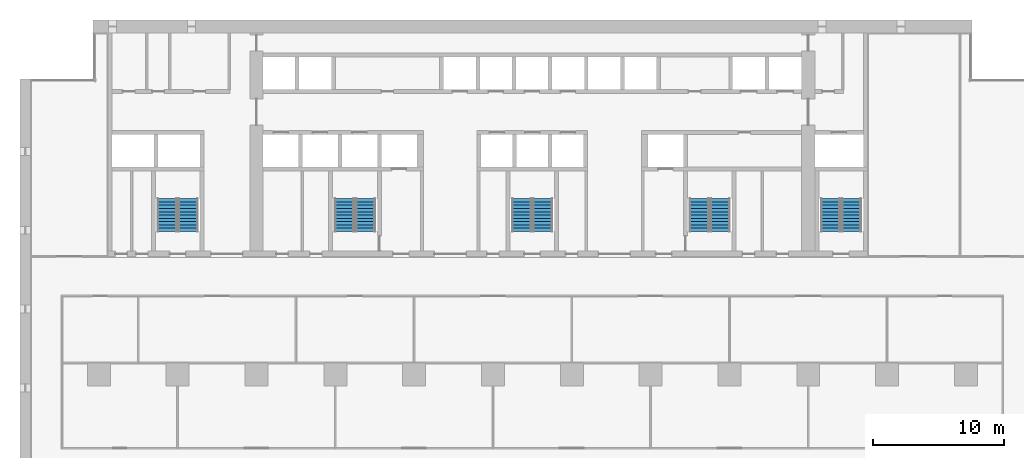
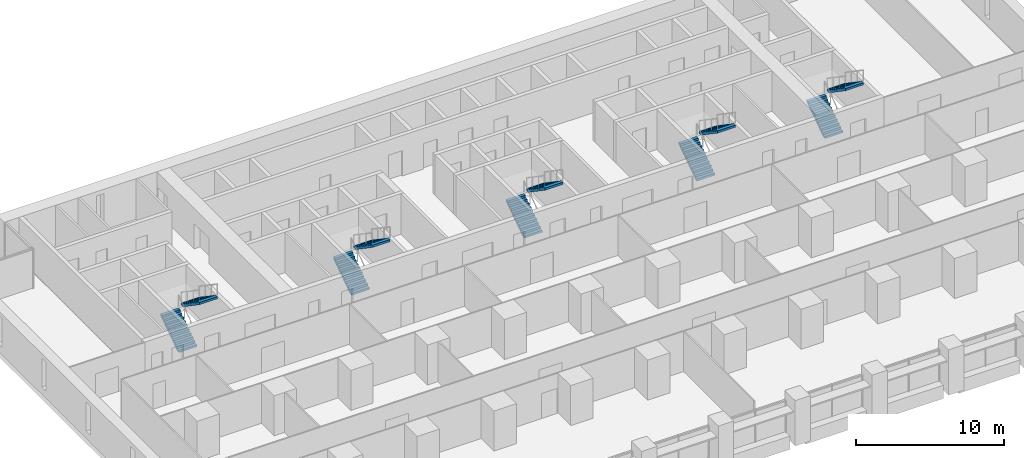
# One storey, part 14 of 18: 10 stair flights, 5 elements without a shape of their own.
"""IFC4 building model written with IfcOpenShell, lengths in metres."""

from ifc_helpers import new_model, si_unit, direction, frame, origin, place, context, subcontext, project, spatial, polyline, outline, extrude, material, type_object, element, aggregate, save


model = new_model("IFC4")

# Units and contexts
model_context = context("Model", 3, precision=1e-05, world=origin(), true_north=direction((0.0, 1.0)))
body_context = subcontext(model_context, "Body", "Model", "MODEL_VIEW")
ifc_project = project(units=[si_unit("LENGTHUNIT", "METRE"), si_unit("AREAUNIT", "SQUARE_METRE"), si_unit("VOLUMEUNIT", "CUBIC_METRE"), si_unit("PLANEANGLEUNIT", "RADIAN"), si_unit("MASSUNIT", "GRAM", prefix="KILO")], contexts=[model_context])

# Site, building, storey
site_placement = place(None, origin())
site = spatial("IfcSite", under=ifc_project, at=site_placement, CompositionType="ELEMENT")
building_placement = place(site_placement, origin())
building = spatial("IfcBuilding", under=site, at=building_placement, Name="Calvaro Tower", CompositionType="ELEMENT")
storey_placement = place(building_placement, frame((0.0, 0.0, 41.25)))
storey = spatial("IfcBuildingStorey", under=building, at=storey_placement, Name="L09", CompositionType="ELEMENT", Elevation=41.25)

# Stair, stair flights
ifc_material_1 = material(Name="Concrete C40/50", Category="concrete")
stair_type = type_object("IfcStairType", Name="Exit stair 1400 2 flights", PredefinedType="HALF_TURN_STAIR", material=ifc_material_1)
stair_1_placement = place(storey_placement, origin())
stair_1 = element("IfcStair", 1, at=stair_1_placement, inside=storey, type_object=stair_type, Name="Exit stair S1", PredefinedType="HALF_TURN_STAIR")
ifc_material_2 = material(Name="Concrete C40/50", Category="concrete")
stair_flight_type = type_object("IfcStairFlightType", Name="Stair flight", PredefinedType="STRAIGHT", material=ifc_material_2)
stair_flight_1_placement = place(storey_placement, frame((11.199951171875, 29.89990234375, 0.0), z_axis=(0.0, 0.0, 1.0), x_axis=(0.0, 1.0, 0.0)))
stair_flight_1 = element("IfcStairFlight", 2, at=stair_flight_1_placement, type_object=stair_flight_type, Name="Exit stair 1, flight 1", NumberOfRisers=11, NumberOfTreads=10, PredefinedType="STRAIGHT", RiserHeight=0.170454545, TreadLength=0.25, context=body_context, shape_type="SweptSolid", body=[
    extrude(outline(polyline([(0.0, 0.0), (0.0, 0.17041015625), (0.25, 0.17041015625), (0.25, 0.3408203125), (0.5, 0.3408203125), (0.5, 0.511474609375), (0.75, 0.511474609375), (0.75, 0.681884765625), (1.0, 0.681884765625), (1.0, 0.852294921875), (1.25, 0.852294921875), (1.25, 1.022705078125), (1.5, 1.022705078125), (1.5, 1.193115234375), (1.75, 1.193115234375), (1.75, 1.363525390625), (2.0, 1.363525390625), (2.0, 1.5341796875), (2.25, 1.5341796875), (2.25, 1.70458984375), (2.5, 1.70458984375), (2.5, 1.875), (2.5, 1.523193359375), (0.26611328125, 0.0), (0.0, 0.0)])), frame((0.0, 0.699951171875, 0.0), z_axis=(0.0, -1.0, 0.0), x_axis=(1.0, 0.0, 0.0)), (0.0, 0.0, 1.0), 1.39990234375),
])
stair_flight_2_placement = place(storey_placement, frame((12.800048828125, 32.39990234375, 1.875), z_axis=(0.0, 0.0, 1.0), x_axis=(0.0, -1.0, 0.0)))
stair_flight_2 = element("IfcStairFlight", 3, at=stair_flight_2_placement, type_object=stair_flight_type, Name="Exit stair 1, flight 2", NumberOfRisers=11, NumberOfTreads=10, PredefinedType="STRAIGHT", RiserHeight=0.170454545, TreadLength=0.25, context=body_context, shape_type="SweptSolid", body=[
    extrude(outline(polyline([(0.0, 0.0), (0.0, 0.17041015625), (0.25, 0.17041015625), (0.25, 0.3408203125), (0.5, 0.3408203125), (0.5, 0.511474609375), (0.75, 0.511474609375), (0.75, 0.681884765625), (1.0, 0.681884765625), (1.0, 0.852294921875), (1.25, 0.852294921875), (1.25, 1.022705078125), (1.5, 1.022705078125), (1.5, 1.193115234375), (1.75, 1.193115234375), (1.75, 1.363525390625), (2.0, 1.363525390625), (2.0, 1.5341796875), (2.25, 1.5341796875), (2.25, 1.70458984375), (2.5, 1.70458984375), (2.5, 1.875), (2.5, 1.523193359375), (0.26611328125, 0.0), (0.0, 0.0)])), frame((0.0, 0.699951171875, 0.0), z_axis=(0.0, -1.0, 0.0), x_axis=(1.0, 0.0, 0.0)), (0.0, 0.0, 1.0), 1.39990234375),
])
aggregate(stair_1, [stair_flight_1, stair_flight_2])

stair_2_placement = place(storey_placement, origin())
stair_2 = element("IfcStair", 4, at=stair_2_placement, inside=storey, type_object=stair_type, Name="Exit stair S2", PredefinedType="HALF_TURN_STAIR")
stair_flight_3_placement = place(storey_placement, frame((24.699951171875, 29.89990234375, 0.0), z_axis=(0.0, 0.0, 1.0), x_axis=(0.0, 1.0, 0.0)))
stair_flight_3 = element("IfcStairFlight", 5, at=stair_flight_3_placement, type_object=stair_flight_type, Name="Exit stair 2, flight 1", NumberOfRisers=11, NumberOfTreads=10, PredefinedType="STRAIGHT", RiserHeight=0.170454545, TreadLength=0.25, context=body_context, shape_type="SweptSolid", body=[
    extrude(outline(polyline([(0.0, 0.0), (0.0, 0.17041015625), (0.25, 0.17041015625), (0.25, 0.3408203125), (0.5, 0.3408203125), (0.5, 0.511474609375), (0.75, 0.511474609375), (0.75, 0.681884765625), (1.0, 0.681884765625), (1.0, 0.852294921875), (1.25, 0.852294921875), (1.25, 1.022705078125), (1.5, 1.022705078125), (1.5, 1.193115234375), (1.75, 1.193115234375), (1.75, 1.363525390625), (2.0, 1.363525390625), (2.0, 1.5341796875), (2.25, 1.5341796875), (2.25, 1.70458984375), (2.5, 1.70458984375), (2.5, 1.875), (2.5, 1.523193359375), (0.26611328125, 0.0), (0.0, 0.0)])), frame((0.0, 0.699951171875, 0.0), z_axis=(0.0, -1.0, 0.0), x_axis=(1.0, 0.0, 0.0)), (0.0, 0.0, 1.0), 1.39990234375),
])
stair_flight_4_placement = place(storey_placement, frame((26.300048828125, 32.39990234375, 1.875), z_axis=(0.0, 0.0, 1.0), x_axis=(0.0, -1.0, 0.0)))
stair_flight_4 = element("IfcStairFlight", 6, at=stair_flight_4_placement, type_object=stair_flight_type, Name="Exit stair 2, flight 2", NumberOfRisers=11, NumberOfTreads=10, PredefinedType="STRAIGHT", RiserHeight=0.170454545, TreadLength=0.25, context=body_context, shape_type="SweptSolid", body=[
    extrude(outline(polyline([(0.0, 0.0), (0.0, 0.17041015625), (0.25, 0.17041015625), (0.25, 0.3408203125), (0.5, 0.3408203125), (0.5, 0.511474609375), (0.75, 0.511474609375), (0.75, 0.681884765625), (1.0, 0.681884765625), (1.0, 0.852294921875), (1.25, 0.852294921875), (1.25, 1.022705078125), (1.5, 1.022705078125), (1.5, 1.193115234375), (1.75, 1.193115234375), (1.75, 1.363525390625), (2.0, 1.363525390625), (2.0, 1.5341796875), (2.25, 1.5341796875), (2.25, 1.70458984375), (2.5, 1.70458984375), (2.5, 1.875), (2.5, 1.523193359375), (0.26611328125, 0.0), (0.0, 0.0)])), frame((0.0, 0.699951171875, 0.0), z_axis=(0.0, -1.0, 0.0), x_axis=(1.0, 0.0, 0.0)), (0.0, 0.0, 1.0), 1.39990234375),
])
aggregate(stair_2, [stair_flight_3, stair_flight_4])

stair_3_placement = place(storey_placement, origin())
stair_3 = element("IfcStair", 7, at=stair_3_placement, inside=storey, type_object=stair_type, Name="Exit stair S3", PredefinedType="HALF_TURN_STAIR")
stair_flight_5_placement = place(storey_placement, frame((38.199951171875, 29.89990234375, 0.0), z_axis=(0.0, 0.0, 1.0), x_axis=(0.0, 1.0, 0.0)))
stair_flight_5 = element("IfcStairFlight", 8, at=stair_flight_5_placement, type_object=stair_flight_type, Name="Exit stair 3, flight 1", NumberOfRisers=11, NumberOfTreads=10, PredefinedType="STRAIGHT", RiserHeight=0.170454545, TreadLength=0.25, context=body_context, shape_type="SweptSolid", body=[
    extrude(outline(polyline([(0.0, 0.0), (0.0, 0.17041015625), (0.25, 0.17041015625), (0.25, 0.3408203125), (0.5, 0.3408203125), (0.5, 0.511474609375), (0.75, 0.511474609375), (0.75, 0.681884765625), (1.0, 0.681884765625), (1.0, 0.852294921875), (1.25, 0.852294921875), (1.25, 1.022705078125), (1.5, 1.022705078125), (1.5, 1.193115234375), (1.75, 1.193115234375), (1.75, 1.363525390625), (2.0, 1.363525390625), (2.0, 1.5341796875), (2.25, 1.5341796875), (2.25, 1.70458984375), (2.5, 1.70458984375), (2.5, 1.875), (2.5, 1.523193359375), (0.26611328125, 0.0), (0.0, 0.0)])), frame((0.0, 0.699951171875, 0.0), z_axis=(0.0, -1.0, 0.0), x_axis=(1.0, 0.0, 0.0)), (0.0, 0.0, 1.0), 1.39990234375),
])
stair_flight_6_placement = place(storey_placement, frame((39.800048828125, 32.39990234375, 1.875), z_axis=(0.0, 0.0, 1.0), x_axis=(0.0, -1.0, 0.0)))
stair_flight_6 = element("IfcStairFlight", 9, at=stair_flight_6_placement, type_object=stair_flight_type, Name="Exit stair 3, flight 2", NumberOfRisers=11, NumberOfTreads=10, PredefinedType="STRAIGHT", RiserHeight=0.170454545, TreadLength=0.25, context=body_context, shape_type="SweptSolid", body=[
    extrude(outline(polyline([(0.0, 0.0), (0.0, 0.17041015625), (0.25, 0.17041015625), (0.25, 0.3408203125), (0.5, 0.3408203125), (0.5, 0.511474609375), (0.75, 0.511474609375), (0.75, 0.681884765625), (1.0, 0.681884765625), (1.0, 0.852294921875), (1.25, 0.852294921875), (1.25, 1.022705078125), (1.5, 1.022705078125), (1.5, 1.193115234375), (1.75, 1.193115234375), (1.75, 1.363525390625), (2.0, 1.363525390625), (2.0, 1.5341796875), (2.25, 1.5341796875), (2.25, 1.70458984375), (2.5, 1.70458984375), (2.5, 1.875), (2.5, 1.523193359375), (0.26611328125, 0.0), (0.0, 0.0)])), frame((0.0, 0.699951171875, 0.0), z_axis=(0.0, -1.0, 0.0), x_axis=(1.0, 0.0, 0.0)), (0.0, 0.0, 1.0), 1.39990234375),
])
aggregate(stair_3, [stair_flight_5, stair_flight_6])

stair_4_placement = place(storey_placement, origin())
stair_4 = element("IfcStair", 10, at=stair_4_placement, inside=storey, type_object=stair_type, Name="Exit stair S4", PredefinedType="HALF_TURN_STAIR")
stair_flight_7_placement = place(storey_placement, frame((51.699951171875, 29.89990234375, 0.0), z_axis=(0.0, 0.0, 1.0), x_axis=(0.0, 1.0, 0.0)))
stair_flight_7 = element("IfcStairFlight", 11, at=stair_flight_7_placement, type_object=stair_flight_type, Name="Exit stair 4, flight 1", NumberOfRisers=11, NumberOfTreads=10, PredefinedType="STRAIGHT", RiserHeight=0.170454545, TreadLength=0.25, context=body_context, shape_type="SweptSolid", body=[
    extrude(outline(polyline([(0.0, 0.0), (0.0, 0.17041015625), (0.25, 0.17041015625), (0.25, 0.3408203125), (0.5, 0.3408203125), (0.5, 0.511474609375), (0.75, 0.511474609375), (0.75, 0.681884765625), (1.0, 0.681884765625), (1.0, 0.852294921875), (1.25, 0.852294921875), (1.25, 1.022705078125), (1.5, 1.022705078125), (1.5, 1.193115234375), (1.75, 1.193115234375), (1.75, 1.363525390625), (2.0, 1.363525390625), (2.0, 1.5341796875), (2.25, 1.5341796875), (2.25, 1.70458984375), (2.5, 1.70458984375), (2.5, 1.875), (2.5, 1.523193359375), (0.26611328125, 0.0), (0.0, 0.0)])), frame((0.0, 0.699951171875, 0.0), z_axis=(0.0, -1.0, 0.0), x_axis=(1.0, 0.0, 0.0)), (0.0, 0.0, 1.0), 1.39990234375),
])
stair_flight_8_placement = place(storey_placement, frame((53.300048828125, 32.39990234375, 1.875), z_axis=(0.0, 0.0, 1.0), x_axis=(0.0, -1.0, 0.0)))
stair_flight_8 = element("IfcStairFlight", 12, at=stair_flight_8_placement, type_object=stair_flight_type, Name="Exit stair 4, flight 2", NumberOfRisers=11, NumberOfTreads=10, PredefinedType="STRAIGHT", RiserHeight=0.170454545, TreadLength=0.25, context=body_context, shape_type="SweptSolid", body=[
    extrude(outline(polyline([(0.0, 0.0), (0.0, 0.17041015625), (0.25, 0.17041015625), (0.25, 0.3408203125), (0.5, 0.3408203125), (0.5, 0.511474609375), (0.75, 0.511474609375), (0.75, 0.681884765625), (1.0, 0.681884765625), (1.0, 0.852294921875), (1.25, 0.852294921875), (1.25, 1.022705078125), (1.5, 1.022705078125), (1.5, 1.193115234375), (1.75, 1.193115234375), (1.75, 1.363525390625), (2.0, 1.363525390625), (2.0, 1.5341796875), (2.25, 1.5341796875), (2.25, 1.70458984375), (2.5, 1.70458984375), (2.5, 1.875), (2.5, 1.523193359375), (0.26611328125, 0.0), (0.0, 0.0)])), frame((0.0, 0.699951171875, 0.0), z_axis=(0.0, -1.0, 0.0), x_axis=(1.0, 0.0, 0.0)), (0.0, 0.0, 1.0), 1.39990234375),
])
aggregate(stair_4, [stair_flight_7, stair_flight_8])

stair_5_placement = place(storey_placement, origin())
stair_5 = element("IfcStair", 13, at=stair_5_placement, inside=storey, type_object=stair_type, Name="Exit stair S5", PredefinedType="HALF_TURN_STAIR")
stair_flight_9_placement = place(storey_placement, frame((61.699951171875, 29.89990234375, 0.0), z_axis=(0.0, 0.0, 1.0), x_axis=(0.0, 1.0, 0.0)))
stair_flight_9 = element("IfcStairFlight", 14, at=stair_flight_9_placement, type_object=stair_flight_type, Name="Exit stair 5, flight 1", NumberOfRisers=11, NumberOfTreads=10, PredefinedType="STRAIGHT", RiserHeight=0.170454545, TreadLength=0.25, context=body_context, shape_type="SweptSolid", body=[
    extrude(outline(polyline([(0.0, 0.0), (0.0, 0.17041015625), (0.25, 0.17041015625), (0.25, 0.3408203125), (0.5, 0.3408203125), (0.5, 0.511474609375), (0.75, 0.511474609375), (0.75, 0.681884765625), (1.0, 0.681884765625), (1.0, 0.852294921875), (1.25, 0.852294921875), (1.25, 1.022705078125), (1.5, 1.022705078125), (1.5, 1.193115234375), (1.75, 1.193115234375), (1.75, 1.363525390625), (2.0, 1.363525390625), (2.0, 1.5341796875), (2.25, 1.5341796875), (2.25, 1.70458984375), (2.5, 1.70458984375), (2.5, 1.875), (2.5, 1.523193359375), (0.26611328125, 0.0), (0.0, 0.0)])), frame((0.0, 0.699951171875, 0.0), z_axis=(0.0, -1.0, 0.0), x_axis=(1.0, 0.0, 0.0)), (0.0, 0.0, 1.0), 1.39990234375),
])
stair_flight_10_placement = place(storey_placement, frame((63.300048828125, 32.39990234375, 1.875), z_axis=(0.0, 0.0, 1.0), x_axis=(0.0, -1.0, 0.0)))
stair_flight_10 = element("IfcStairFlight", 15, at=stair_flight_10_placement, type_object=stair_flight_type, Name="Exit stair 5, flight 2", NumberOfRisers=11, NumberOfTreads=10, PredefinedType="STRAIGHT", RiserHeight=0.170454545, TreadLength=0.25, context=body_context, shape_type="SweptSolid", body=[
    extrude(outline(polyline([(0.0, 0.0), (0.0, 0.17041015625), (0.25, 0.17041015625), (0.25, 0.3408203125), (0.5, 0.3408203125), (0.5, 0.511474609375), (0.75, 0.511474609375), (0.75, 0.681884765625), (1.0, 0.681884765625), (1.0, 0.852294921875), (1.25, 0.852294921875), (1.25, 1.022705078125), (1.5, 1.022705078125), (1.5, 1.193115234375), (1.75, 1.193115234375), (1.75, 1.363525390625), (2.0, 1.363525390625), (2.0, 1.5341796875), (2.25, 1.5341796875), (2.25, 1.70458984375), (2.5, 1.70458984375), (2.5, 1.875), (2.5, 1.523193359375), (0.26611328125, 0.0), (0.0, 0.0)])), frame((0.0, 0.699951171875, 0.0), z_axis=(0.0, -1.0, 0.0), x_axis=(1.0, 0.0, 0.0)), (0.0, 0.0, 1.0), 1.39990234375),
])
aggregate(stair_5, [stair_flight_9, stair_flight_10])

save(model, "model.ifc")
